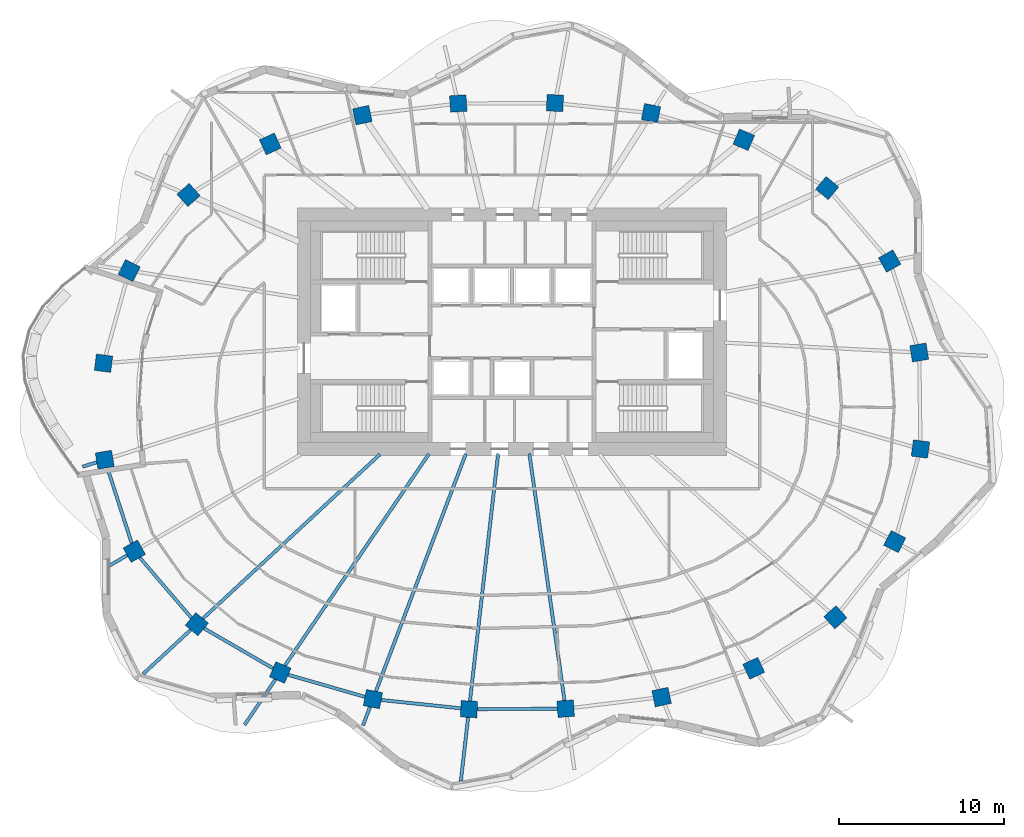
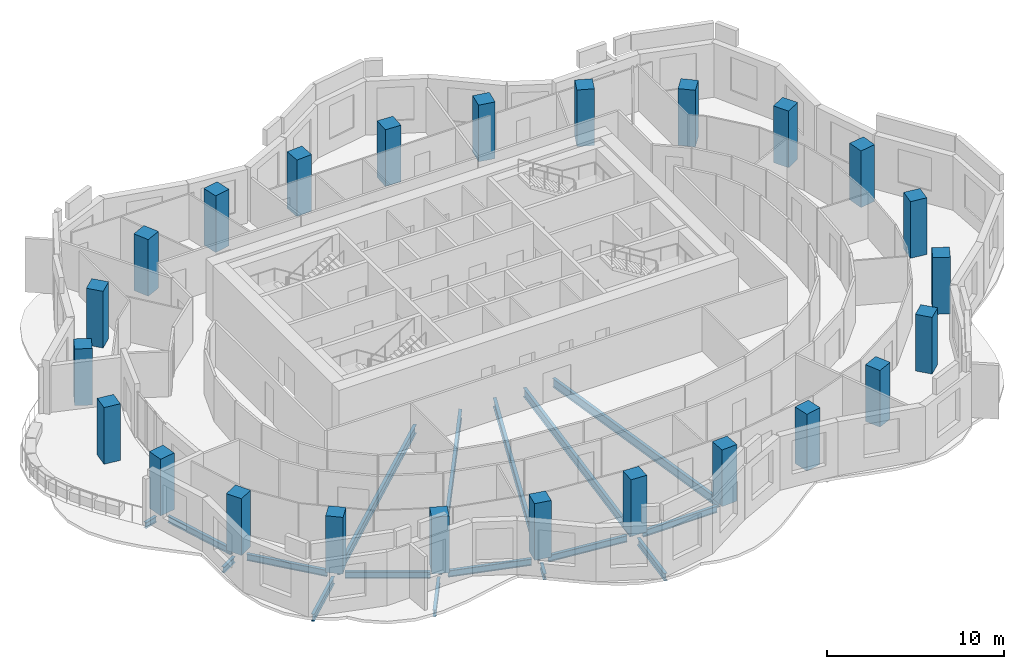
# One storey, part 1 of 13: 24 columns, 17 beams.
"""IFC4 building model written with IfcOpenShell, lengths in metres."""

from ifc_helpers import new_model, si_unit, direction, frame, origin, origin_2d, place, context, subcontext, project, spatial, rectangle, i_section, extrude, material, material_profile, profile_set, type_object, element, save


model = new_model("IFC4")

# Units and contexts
model_context = context("Model", 3, precision=1e-05, world=origin(), true_north=direction((0.0, 1.0)))
body_context = subcontext(model_context, "Body", "Model", "MODEL_VIEW")
ifc_project = project(units=[si_unit("LENGTHUNIT", "METRE"), si_unit("AREAUNIT", "SQUARE_METRE"), si_unit("VOLUMEUNIT", "CUBIC_METRE"), si_unit("PLANEANGLEUNIT", "RADIAN"), si_unit("MASSUNIT", "GRAM", prefix="KILO")], contexts=[model_context])

# Site, building, storey
site_placement = place(None, origin())
site = spatial("IfcSite", under=ifc_project, at=site_placement, CompositionType="ELEMENT")
building_placement = place(site_placement, origin())
building = spatial("IfcBuilding", under=site, at=building_placement, Name="Rubra Terraces Tower", CompositionType="ELEMENT")
storey_placement = place(building_placement, frame((0.0, 0.0, 209.10009765625)))
storey = spatial("IfcBuildingStorey", under=building, at=storey_placement, Name="L51", CompositionType="ELEMENT", Elevation=209.10009765625)

# Columns
ifc_material_1 = material(Name="Concrete C50", Category="concrete")
ifc_material_profile_1 = material_profile(ifc_material_1, rectangle(XDim=1.0, YDim=1.0, at=origin_2d()), Name="RC 1000x1000")
ifc_profile_set_1 = profile_set([ifc_material_profile_1], Name="Concrete C50")
column_type = type_object("IfcColumnType", Name="RING COLUMN RC 1000x1000 C50", PredefinedType="COLUMN", material=ifc_profile_set_1)
for number, where, z_axis, x_axis, name in (
    (1, (24.6689453125, 3.248046875, 0.0), (0.0, 0.0, 1.0), (-0.161559167715, 0.986863027642, 0.0), "column-L51-ring-01"),
    (2, (22.87890625, 8.787109375, 0.0), (0.0, 0.0, 1.0), (-0.48852601316, 0.872549330678, 0.0), "column-L51-ring-02"),
    (3, (19.092041015625, 13.208984375, 0.0), (0.0, 0.0, 1.0), (-0.76886986222, 0.63940529789, 0.0), "column-L51-ring-03"),
    (4, (14.0419921875, 16.135986328125, 0.0), (0.0, 0.0, 1.0), (-0.920167856842, 0.391524092789, 0.0), "column-L51-ring-04"),
    (5, (8.422119140625, 17.7490234375, 0.0), (0.0, 0.0, 1.0), (-0.981654668733, 0.19066754143, 0.0), "column-L51-ring-05"),
    (6, (2.60205078125, 18.35791015625, 0.0), (0.0, 0.0, 1.0), (-0.998764256028, 0.049698700995, 0.0), "column-L51-ring-06"),
    (7, (-3.25390625, 18.330078125, 0.0), (0.0, 0.0, 1.0), (-0.998031548759, -0.062713855578, 0.0), "column-L51-ring-07"),
    (8, (-9.06298828125, 17.625, 0.0), (0.0, 0.0, 1.0), (-0.977652674797, -0.210226657352, 0.0), "column-L51-ring-08"),
    (9, (-14.64306640625, 15.881103515625, 0.0), (0.0, 0.0, 1.0), (-0.908778580451, -0.417278673927, 0.0), "column-L51-ring-09"),
    (10, (-19.593017578125, 12.7900390625, 0.0), (0.0, 0.0, 1.0), (-0.744021317198, -0.668155879683, 0.0), "column-L51-ring-10"),
    (11, (-23.18505859375, 8.2099609375, 0.0), (0.0, 0.0, 1.0), (-0.451027931402, -0.892509834733, 0.0), "column-L51-ring-11"),
    (12, (-24.742919921875, 2.59912109375, 0.0), (0.0, 0.0, 1.0), (-0.128443684554, -0.991716804283, 0.0), "column-L51-ring-12"),
    (13, (-24.6689453125, -3.248046875, 0.0), (0.0, 0.0, 1.0), (0.161559167715, -0.986863027642, 0.0), "column-L51-ring-13"),
    (14, (-22.87890625, -8.787109375, 0.0), (0.0, 0.0, 1.0), (0.48852601316, -0.872549330678, 0.0), "column-L51-ring-14"),
    (15, (-19.092041015625, -13.208984375, 0.0), (0.0, 0.0, 1.0), (0.76886986222, -0.63940529789, 0.0), "column-L51-ring-15"),
    (16, (-14.0419921875, -16.135986328125, 0.0), (0.0, 0.0, 1.0), (0.920167856842, -0.391524092789, 0.0), "column-L51-ring-16"),
    (17, (-8.422119140625, -17.7490234375, 0.0), (0.0, 0.0, 1.0), (0.981654668733, -0.19066754143, 0.0), "column-L51-ring-17"),
    (18, (-2.60205078125, -18.35791015625, 0.0), (0.0, 0.0, 1.0), (0.998764256028, -0.049698700995, 0.0), "column-L51-ring-18"),
    (19, (3.25390625, -18.330078125, 0.0), (0.0, 0.0, 1.0), (0.998031548759, 0.062713855578, 0.0), "column-L51-ring-19"),
    (20, (9.06298828125, -17.625, 0.0), (0.0, 0.0, 1.0), (0.977652674797, 0.210226657352, 0.0), "column-L51-ring-20"),
    (21, (14.64306640625, -15.881103515625, 0.0), (0.0, 0.0, 1.0), (0.908778580451, 0.417278673927, 0.0), "column-L51-ring-21"),
    (22, (19.593017578125, -12.7900390625, 0.0), (0.0, 0.0, 1.0), (0.744021317198, 0.668155879683, 0.0), "column-L51-ring-22"),
    (23, (23.18505859375, -8.2099609375, 0.0), (0.0, 0.0, 1.0), (0.451027931402, 0.892509834733, 0.0), "column-L51-ring-23"),
    (24, (24.742919921875, -2.59912109375, 0.0), (0.0, 0.0, 1.0), (0.128443684554, 0.991716804283, 0.0), "column-L51-ring-24"),
):
    element("IfcColumn", number, at=place(storey_placement, frame(where, z_axis=z_axis, x_axis=x_axis)), inside=storey, type_object=column_type, Name=name, PredefinedType="COLUMN", context=body_context, shape_type="SweptSolid", body=[
        extrude(rectangle(XDim=1.0, YDim=1.0, at=origin_2d()), origin(), (0.0, 0.0, 1.0), 3.89990234375),
    ])

# Beams
ifc_material_2 = material(Name="Steel Q355B", Category="steel")
ifc_material_profile_2 = material_profile(ifc_material_2, i_section(OverallWidth=0.198974609375, OverallDepth=0.446044921875, WebThickness=0.008056640625, FlangeThickness=0.011962890625, at=origin_2d()), Name="HN 446x199x8x12")
ifc_profile_set_2 = profile_set([ifc_material_profile_2], Name="Steel Q355B")
beam_type_1 = type_object("IfcBeamType", Name="CANTILEVER BEAM HN 446x199x8x12", PredefinedType="BEAM", material=ifc_profile_set_2)
beam_1_placement = place(storey_placement, frame((-14.3291015625, -16.556884765625, -0.423095703125), z_axis=(-0.562356236062, -0.826895074215, 0.0), x_axis=(0.826895074215, -0.562356236062, 0.0)))
element("IfcBeam", 25, at=beam_1_placement, inside=storey, type_object=beam_type_1, Name="beam-L51-cant-16", PredefinedType="BEAM", context=body_context, shape_type="SweptSolid", body=[
    extrude(i_section(OverallWidth=0.198974609375, OverallDepth=0.446044921875, WebThickness=0.008056640625, FlangeThickness=0.011962890625, at=origin_2d()), origin(), (0.0, 0.0, 1.0), 3.3232421875),
])
ifc_material_profile_3 = material_profile(ifc_material_2, i_section(OverallWidth=0.198974609375, OverallDepth=0.49609375, WebThickness=0.009033203125, FlangeThickness=0.013916015625, at=origin_2d()), Name="HN 496x199x9x14")
ifc_profile_set_3 = profile_set([ifc_material_profile_3], Name="Steel Q355B")
beam_type_2 = type_object("IfcBeamType", Name="CANTILEVER BEAM HN 496x199x9x14", PredefinedType="BEAM", material=ifc_profile_set_3)
beam_2_placement = place(storey_placement, frame((-19.4619140625, -13.552001953125, -0.447998046875), z_axis=(-0.733256316267, -0.679952332634, 0.0), x_axis=(0.679952332634, -0.733256316267, 0.0)))
element("IfcBeam", 26, at=beam_2_placement, inside=storey, type_object=beam_type_2, Name="beam-L51-cant-15", PredefinedType="BEAM", context=body_context, shape_type="SweptSolid", body=[
    extrude(i_section(OverallWidth=0.198974609375, OverallDepth=0.49609375, WebThickness=0.009033203125, FlangeThickness=0.013916015625, at=origin_2d()), origin(), (0.0, 0.0, 1.0), 3.92529296875),
])
beam_3_placement = place(storey_placement, frame((-2.658935546875, -18.85595703125, -0.447998046875), z_axis=(-0.113002967093, -0.993594650463, 0.0), x_axis=(0.993594650463, -0.113002967093, 0.0)))
element("IfcBeam", 27, at=beam_3_placement, inside=storey, type_object=beam_type_2, Name="beam-L51-cant-18", PredefinedType="BEAM", context=body_context, shape_type="SweptSolid", body=[
    extrude(i_section(OverallWidth=0.198974609375, OverallDepth=0.49609375, WebThickness=0.009033203125, FlangeThickness=0.013916015625, at=origin_2d()), origin(), (0.0, 0.0, 1.0), 3.8759765625),
])
ifc_material_profile_4 = material_profile(ifc_material_2, i_section(OverallWidth=0.199951171875, OverallDepth=0.39990234375, WebThickness=0.008056640625, FlangeThickness=0.012939453125, at=origin_2d()), Name="HN 400x200x8x13")
ifc_profile_set_4 = profile_set([ifc_material_profile_4], Name="Steel Q355B")
beam_type_3 = type_object("IfcBeamType", Name="CANTILEVER STUB HN 400x200x8x13", PredefinedType="BEAM", material=ifc_profile_set_4)
beam_4_placement = place(storey_placement, frame((-25.15087890625, -3.39892578125, -0.400146484375), z_axis=(-0.953893863058, -0.300144128746, 0.0), x_axis=(0.300144128746, -0.953893863058, 0.0)))
element("IfcBeam", 28, at=beam_4_placement, inside=storey, type_object=beam_type_3, Name="beam-L51-cant-13", PredefinedType="BEAM", context=body_context, shape_type="SweptSolid", body=[
    extrude(i_section(OverallWidth=0.199951171875, OverallDepth=0.39990234375, WebThickness=0.008056640625, FlangeThickness=0.012939453125, at=origin_2d()), origin(), (0.0, 0.0, 1.0), 0.899658203125),
])
beam_5_placement = place(storey_placement, frame((-23.31103515625, -9.0380859375, -0.400146484375), z_axis=(-0.864876013532, -0.501985538852, 0.0), x_axis=(0.501985538852, -0.864876013532, 0.0)))
element("IfcBeam", 29, at=beam_5_placement, inside=storey, type_object=beam_type_3, Name="beam-L51-cant-14", PredefinedType="BEAM", context=body_context, shape_type="SweptSolid", body=[
    extrude(i_section(OverallWidth=0.199951171875, OverallDepth=0.39990234375, WebThickness=0.008056640625, FlangeThickness=0.012939453125, at=origin_2d()), origin(), (0.0, 0.0, 1.0), 1.2568359375),
])
beam_6_placement = place(storey_placement, frame((-8.60205078125, -18.222900390625, -0.400146484375), z_axis=(-0.353704766013, -0.935357118164, 0.0), x_axis=(0.935357118164, -0.353704766013, 0.0)))
element("IfcBeam", 30, at=beam_6_placement, inside=storey, type_object=beam_type_3, Name="beam-L51-cant-17", PredefinedType="BEAM", context=body_context, shape_type="SweptSolid", body=[
    extrude(i_section(OverallWidth=0.199951171875, OverallDepth=0.39990234375, WebThickness=0.008056640625, FlangeThickness=0.012939453125, at=origin_2d()), origin(), (0.0, 0.0, 1.0), 1.20166015625),
])
ifc_material_profile_5 = material_profile(ifc_material_2, i_section(OverallWidth=0.198974609375, OverallDepth=0.595947265625, WebThickness=0.010009765625, FlangeThickness=0.014892578125, at=origin_2d()), Name="HN 596x199x10x15")
ifc_profile_set_5 = profile_set([ifc_material_profile_5], Name="Steel Q355B")
beam_type_4 = type_object("IfcBeamType", Name="FLOOR BEAM HN 596x199x10x15", PredefinedType="BEAM", material=ifc_profile_set_5)
beam_7_placement = place(storey_placement, frame((-18.721923828125, -12.865966796875, -0.498046875), z_axis=(0.733130458484, 0.680088031687, 0.0), x_axis=(-0.680088031687, 0.733130458484, 0.0)))
element("IfcBeam", 31, at=beam_7_placement, inside=storey, type_object=beam_type_4, Name="beam-L51-floor-15", PredefinedType="BEAM", context=body_context, shape_type="SweptSolid", body=[
    extrude(i_section(OverallWidth=0.198974609375, OverallDepth=0.595947265625, WebThickness=0.010009765625, FlangeThickness=0.014892578125, at=origin_2d()), origin(), (0.0, 0.0, 1.0), 14.62744140625),
])
beam_8_placement = place(storey_placement, frame((-13.7548828125, -15.715087890625, -0.498046875), z_axis=(0.562545242124, 0.826766503049, 0.0), x_axis=(-0.826766503049, 0.562545242124, 0.0)))
element("IfcBeam", 32, at=beam_8_placement, inside=storey, type_object=beam_type_4, Name="beam-L51-floor-16", PredefinedType="BEAM", context=body_context, shape_type="SweptSolid", body=[
    extrude(i_section(OverallWidth=0.198974609375, OverallDepth=0.595947265625, WebThickness=0.010009765625, FlangeThickness=0.014892578125, at=origin_2d()), origin(), (0.0, 0.0, 1.0), 15.499267578125),
])
beam_9_placement = place(storey_placement, frame((-8.241943359375, -17.27490234375, -0.498046875), z_axis=(0.353955134415, 0.93526240319, 0.0), x_axis=(-0.93526240319, 0.353955134415, 0.0)))
element("IfcBeam", 33, at=beam_9_placement, inside=storey, type_object=beam_type_4, Name="beam-L51-floor-17", PredefinedType="BEAM", context=body_context, shape_type="SweptSolid", body=[
    extrude(i_section(OverallWidth=0.198974609375, OverallDepth=0.595947265625, WebThickness=0.010009765625, FlangeThickness=0.014892578125, at=origin_2d()), origin(), (0.0, 0.0, 1.0), 15.3828125),
])
beam_10_placement = place(storey_placement, frame((-2.544921875, -17.860107421875, -0.498046875), z_axis=(0.113084825914, 0.993585337124, 0.0), x_axis=(-0.993585337124, 0.113084825914, 0.0)))
element("IfcBeam", 34, at=beam_10_placement, inside=storey, type_object=beam_type_4, Name="beam-L51-floor-18", PredefinedType="BEAM", context=body_context, shape_type="SweptSolid", body=[
    extrude(i_section(OverallWidth=0.198974609375, OverallDepth=0.595947265625, WebThickness=0.010009765625, FlangeThickness=0.014892578125, at=origin_2d()), origin(), (0.0, 0.0, 1.0), 15.07568359375),
])
beam_11_placement = place(storey_placement, frame((3.18310546875, -17.8330078125, -0.498046875), z_axis=(-0.141104514479, 0.989994705033, 0.0), x_axis=(-0.989994705033, -0.141104514479, 0.0)))
element("IfcBeam", 35, at=beam_11_placement, inside=storey, type_object=beam_type_4, Name="beam-L51-floor-19", PredefinedType="BEAM", context=body_context, shape_type="SweptSolid", body=[
    extrude(i_section(OverallWidth=0.198974609375, OverallDepth=0.595947265625, WebThickness=0.010009765625, FlangeThickness=0.014892578125, at=origin_2d()), origin(), (0.0, 0.0, 1.0), 15.10302734375),
])
ifc_material_profile_6 = material_profile(ifc_material_2, i_section(OverallWidth=0.198974609375, OverallDepth=0.446044921875, WebThickness=0.008056640625, FlangeThickness=0.011962890625, at=origin_2d()), Name="HN 446x199x8x12")
ifc_profile_set_6 = profile_set([ifc_material_profile_6], Name="Steel Q355B")
beam_type_5 = type_object("IfcBeamType", Name="SPANDREL BEAM HN 446x199x8x12", PredefinedType="SPANDREL", material=ifc_profile_set_6)
beam_12_placement = place(storey_placement, frame((-24.512939453125, -3.72900390625, -0.423095703125), z_axis=(0.307359002872, -0.951593633519, 0.0), x_axis=(0.951593633519, 0.307359002872, 0.0)))
element("IfcBeam", 36, at=beam_12_placement, inside=storey, type_object=beam_type_5, Name="beam-L51-spandrel-13", PredefinedType="SPANDREL", context=body_context, shape_type="SweptSolid", body=[
    extrude(i_section(OverallWidth=0.198974609375, OverallDepth=0.446044921875, WebThickness=0.008056640625, FlangeThickness=0.011962890625, at=origin_2d()), origin(), (0.0, 0.0, 1.0), 4.8056640625),
])
beam_13_placement = place(storey_placement, frame((-22.547119140625, -9.174072265625, -0.423095703125), z_axis=(0.650372836218, -0.759615148552, 0.0), x_axis=(0.759615148552, 0.650372836218, 0.0)))
element("IfcBeam", 37, at=beam_13_placement, inside=storey, type_object=beam_type_5, Name="beam-L51-spandrel-14", PredefinedType="SPANDREL", context=body_context, shape_type="SweptSolid", body=[
    extrude(i_section(OverallWidth=0.198974609375, OverallDepth=0.446044921875, WebThickness=0.008056640625, FlangeThickness=0.011962890625, at=origin_2d()), origin(), (0.0, 0.0, 1.0), 4.804931640625),
])
beam_14_placement = place(storey_placement, frame((-18.653076171875, -13.462890625, -0.423095703125), z_axis=(0.865153680787, -0.501506838059, 0.0), x_axis=(0.501506838059, 0.865153680787, 0.0)))
element("IfcBeam", 38, at=beam_14_placement, inside=storey, type_object=beam_type_5, Name="beam-L51-spandrel-15", PredefinedType="SPANDREL", context=body_context, shape_type="SweptSolid", body=[
    extrude(i_section(OverallWidth=0.198974609375, OverallDepth=0.446044921875, WebThickness=0.008056640625, FlangeThickness=0.011962890625, at=origin_2d()), origin(), (0.0, 0.0, 1.0), 4.82568359375),
])
beam_15_placement = place(storey_placement, frame((-13.55810546875, -16.27490234375, -0.423095703125), z_axis=(0.961171164323, -0.275952881621, 0.0), x_axis=(0.275952881621, 0.961171164323, 0.0)))
element("IfcBeam", 39, at=beam_15_placement, inside=storey, type_object=beam_type_5, Name="beam-L51-spandrel-16", PredefinedType="SPANDREL", context=body_context, shape_type="SweptSolid", body=[
    extrude(i_section(OverallWidth=0.198974609375, OverallDepth=0.446044921875, WebThickness=0.008056640625, FlangeThickness=0.011962890625, at=origin_2d()), origin(), (0.0, 0.0, 1.0), 4.842041015625),
])
beam_16_placement = place(storey_placement, frame((-7.923095703125, -17.801025390625, -0.423095703125), z_axis=(0.994565426955, -0.104113454971, 0.0), x_axis=(0.104113454971, 0.994565426955, 0.0)))
element("IfcBeam", 40, at=beam_16_placement, inside=storey, type_object=beam_type_5, Name="beam-L51-spandrel-17", PredefinedType="SPANDREL", context=body_context, shape_type="SweptSolid", body=[
    extrude(i_section(OverallWidth=0.198974609375, OverallDepth=0.446044921875, WebThickness=0.008056640625, FlangeThickness=0.011962890625, at=origin_2d()), origin(), (0.0, 0.0, 1.0), 4.849365234375),
])
beam_17_placement = place(storey_placement, frame((-2.10107421875, -18.35595703125, -0.423095703125), z_axis=(0.999987852299, 0.004929021704, 0.0), x_axis=(-0.004929021704, 0.999987852299, 0.0)))
element("IfcBeam", 41, at=beam_17_placement, inside=storey, type_object=beam_type_5, Name="beam-L51-spandrel-18", PredefinedType="SPANDREL", context=body_context, shape_type="SweptSolid", body=[
    extrude(i_section(OverallWidth=0.198974609375, OverallDepth=0.446044921875, WebThickness=0.008056640625, FlangeThickness=0.011962890625, at=origin_2d()), origin(), (0.0, 0.0, 1.0), 4.85400390625),
])

save(model, "model.ifc")
